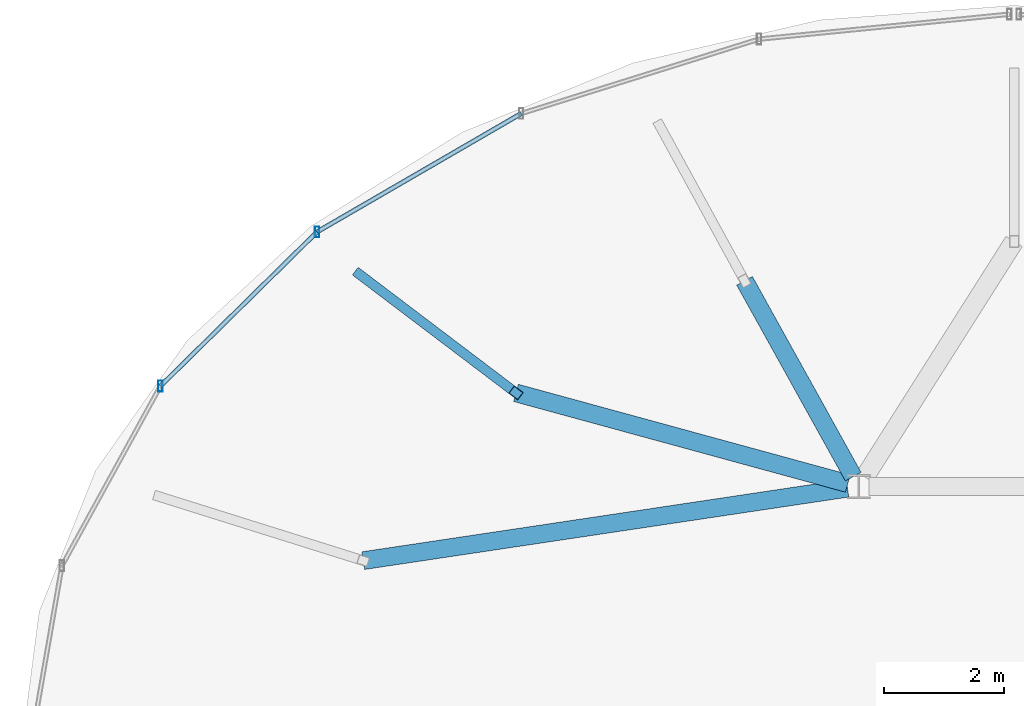
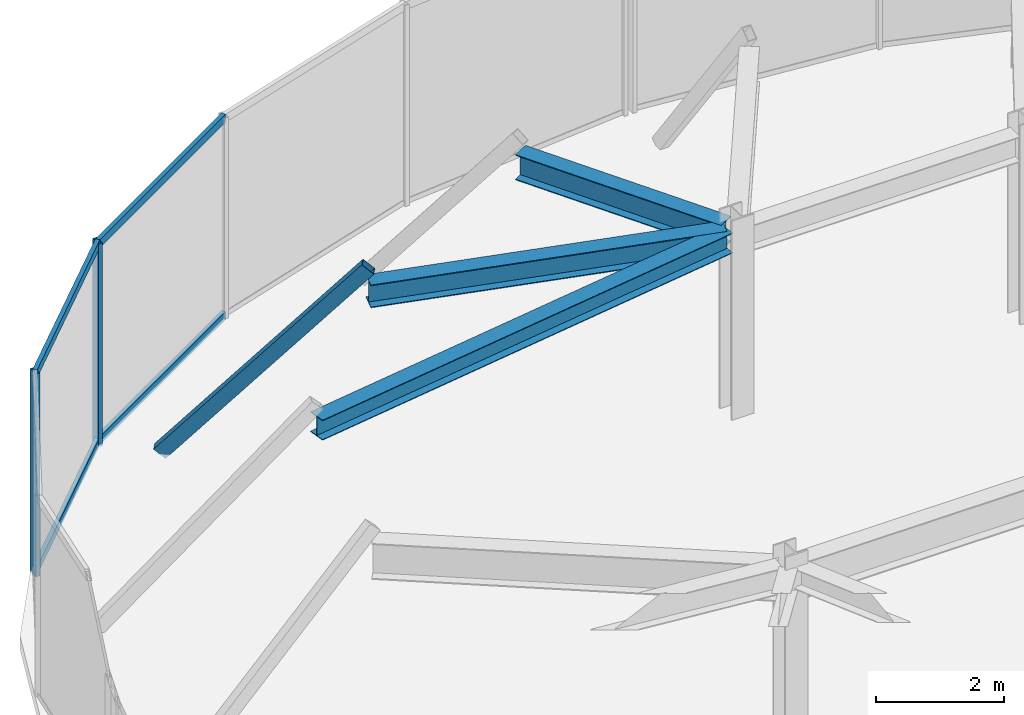
# One storey, part 8 of 13: 7 members, 3 beams, 1 element without a shape of its own.
"""IFC4 building model written with IfcOpenShell, lengths in metres."""

from ifc_helpers import new_model, si_unit, direction, frame, origin, origin_2d, place, context, subcontext, project, spatial, hollow_rectangle, i_section, extrude, material, material_profile, profile_set, type_object, element, aggregate, save


model = new_model("IFC4")

# Units and contexts
model_context = context("Model", 3, precision=1e-05, world=origin(), true_north=direction((0.0, 1.0)))
body_context = subcontext(model_context, "Body", "Model", "MODEL_VIEW")
ifc_project = project(units=[si_unit("LENGTHUNIT", "METRE"), si_unit("AREAUNIT", "SQUARE_METRE"), si_unit("VOLUMEUNIT", "CUBIC_METRE"), si_unit("PLANEANGLEUNIT", "RADIAN"), si_unit("MASSUNIT", "GRAM", prefix="KILO")], contexts=[model_context])

# Site, building, storey
site_placement = place(None, origin())
site = spatial("IfcSite", under=ifc_project, at=site_placement, CompositionType="ELEMENT")
building_placement = place(site_placement, origin())
building = spatial("IfcBuilding", under=site, at=building_placement, Name="Vorneva Point Tower", CompositionType="ELEMENT")
storey_placement = place(building_placement, frame((0.0, 0.0, 303.0)))
storey = spatial("IfcBuildingStorey", under=building, at=storey_placement, Name="C03", CompositionType="ELEMENT", Elevation=303.0)

# Beams
ifc_material_1 = material(Name="Steel S355", Category="steel")
ifc_material_profile_1 = material_profile(ifc_material_1, i_section(OverallWidth=0.299072265625, OverallDepth=0.383056640625, WebThickness=0.009521484375, FlangeThickness=0.012451171875, at=origin_2d()), Name="40Sh1")
ifc_profile_set_1 = profile_set([ifc_material_profile_1], Name="Steel S355")
beam_type_1 = type_object("IfcBeamType", Name="BM-GRD-40Sh1", PredefinedType="USERDEFINED", material=ifc_profile_set_1)
beam_1_placement = place(storey_placement, frame((27.111083984375, 29.310302734375, 3.3583984375), z_axis=(0.988998790521, 0.147923603079, 0.0), x_axis=(-0.147923603079, 0.988998790521, 0.0)))
element("IfcBeam", 1, at=beam_1_placement, inside=storey, type_object=beam_type_1, Name="C03 Radial Primary Girder 08", ObjectType="GIRDER", PredefinedType="USERDEFINED", context=body_context, shape_type="SweptSolid", body=[
    extrude(i_section(OverallWidth=0.299072265625, OverallDepth=0.383056640625, WebThickness=0.009521484375, FlangeThickness=0.012451171875, at=origin_2d()), origin(), (0.0, 0.0, 1.0), 8.191162109375),
])
ifc_material_profile_2 = material_profile(ifc_material_1, i_section(OverallWidth=0.299072265625, OverallDepth=0.43505859375, WebThickness=0.010498046875, FlangeThickness=0.014892578125, at=origin_2d()), Name="45Sh1")
ifc_profile_set_2 = profile_set([ifc_material_profile_2], Name="Steel S355")
beam_type_2 = type_object("IfcBeamType", Name="BM-GRD-45Sh1", PredefinedType="USERDEFINED", material=ifc_profile_set_2)
beam_2_placement = place(storey_placement, frame((29.666015625, 32.116455078125, 3.33251953125), z_axis=(0.964653095617, -0.263523063726, 0.0), x_axis=(0.263523063726, 0.964653095617, 0.0)))
element("IfcBeam", 2, at=beam_2_placement, inside=storey, type_object=beam_type_2, Name="C03 Radial Primary Girder 07", ObjectType="GIRDER", PredefinedType="USERDEFINED", context=body_context, shape_type="SweptSolid", body=[
    extrude(i_section(OverallWidth=0.299072265625, OverallDepth=0.43505859375, WebThickness=0.010498046875, FlangeThickness=0.014892578125, at=origin_2d()), origin(), (0.0, 0.0, 1.0), 5.754150390625),
])
ifc_material_profile_3 = material_profile(ifc_material_1, i_section(OverallWidth=0.300048828125, OverallDepth=0.48193359375, WebThickness=0.010986328125, FlangeThickness=0.014892578125, at=origin_2d()), Name="50Sh1")
ifc_profile_set_3 = profile_set([ifc_material_profile_3], Name="Steel S355")
beam_type_3 = type_object("IfcBeamType", Name="BM-GRD-50Sh1", PredefinedType="USERDEFINED", material=ifc_profile_set_3)
beam_3_placement = place(storey_placement, frame((33.48974609375, 33.99169921875, 3.30908203125), z_axis=(0.485299844014, -0.874347792014, 0.0), x_axis=(0.874347792014, 0.485299844014, 0.0)))
element("IfcBeam", 3, at=beam_3_placement, inside=storey, type_object=beam_type_3, Name="C03 Radial Primary Girder 06", ObjectType="GIRDER", PredefinedType="USERDEFINED", context=body_context, shape_type="SweptSolid", body=[
    extrude(i_section(OverallWidth=0.300048828125, OverallDepth=0.48193359375, WebThickness=0.010986328125, FlangeThickness=0.014892578125, at=origin_2d()), origin(), (0.0, 0.0, 1.0), 3.746337890625),
])

# Curtain wall, members
ifc_material_2 = material(Name="Pale anodised aluminium", Category="aluminium")
curtain_wall_type = type_object("IfcCurtainWallType", Name="CW-CRN-SYS", PredefinedType="NOTDEFINED", material=ifc_material_2)
curtain_wall_placement = place(storey_placement, origin())
curtain_wall = element("IfcCurtainWall", 4, at=curtain_wall_placement, inside=storey, type_object=curtain_wall_type, Name="C03 Unitised Curtain Wall CW-C03-Q2", PredefinedType="NOTDEFINED")
ifc_material_profile_4 = material_profile(ifc_material_2, hollow_rectangle(XDim=0.074951171875, YDim=0.179931640625, WallThickness=0.00390625, at=origin_2d()), Name="AL-MUL 180x75x4")
ifc_profile_set_4 = profile_set([ifc_material_profile_4], Name="Pale anodised aluminium")
member_type_1 = type_object("IfcMemberType", Name="CW-MUL-180", PredefinedType="MULLION", material=ifc_profile_set_4)
member_1_placement = place(storey_placement, frame((26.33837890625, 34.810546875, -0.0400390625), z_axis=(0.0, 0.0, 1.0), x_axis=(1.0, 0.0, 0.0)))
member_1 = element("IfcMember", 5, at=member_1_placement, type_object=member_type_1, Name="CW-C03-Q2 Mullion 04", PredefinedType="MULLION", context=body_context, shape_type="SweptSolid", body=[
    extrude(hollow_rectangle(XDim=0.074951171875, YDim=0.179931640625, WallThickness=0.00390625, at=origin_2d()), origin(), (0.0, 0.0, 1.0), 3.8701171875),
])
member_2_placement = place(storey_placement, frame((23.717529296875, 32.22998046875, -0.0400390625), z_axis=(0.0, 0.0, 1.0), x_axis=(1.0, 0.0, 0.0)))
member_2 = element("IfcMember", 6, at=member_2_placement, type_object=member_type_1, Name="CW-C03-Q2 Mullion 05", PredefinedType="MULLION", context=body_context, shape_type="SweptSolid", body=[
    extrude(hollow_rectangle(XDim=0.074951171875, YDim=0.179931640625, WallThickness=0.00390625, at=origin_2d()), origin(), (0.0, 0.0, 1.0), 3.8701171875),
])
ifc_material_profile_5 = material_profile(ifc_material_2, hollow_rectangle(XDim=0.074951171875, YDim=0.14990234375, WallThickness=0.00390625, at=origin_2d()), Name="AL-TRN 150x75x4")
ifc_profile_set_5 = profile_set([ifc_material_profile_5], Name="Pale anodised aluminium")
member_type_2 = type_object("IfcMemberType", Name="CW-TRN-150", PredefinedType="USERDEFINED", material=ifc_profile_set_5)
member_3_placement = place(storey_placement, frame((29.75390625, 36.790771484375, 0.02001953125), z_axis=(-0.8651170579, -0.501570011196, 0.0), x_axis=(0.501570011196, -0.8651170579, 0.0)))
member_3 = element("IfcMember", 7, at=member_3_placement, type_object=member_type_2, Name="CW-C03-Q2 Transom 03.1", ObjectType="TRANSOM", PredefinedType="USERDEFINED", context=body_context, shape_type="SweptSolid", body=[
    extrude(hollow_rectangle(XDim=0.074951171875, YDim=0.14990234375, WallThickness=0.00390625, at=origin_2d()), origin(), (0.0, 0.0, 1.0), 3.947998046875),
])
member_4_placement = place(storey_placement, frame((29.75390625, 36.790771484375, 3.780029296875), z_axis=(-0.8651170579, -0.501570011196, 0.0), x_axis=(0.501570011196, -0.8651170579, 0.0)))
member_4 = element("IfcMember", 8, at=member_4_placement, type_object=member_type_2, Name="CW-C03-Q2 Transom 03.2", ObjectType="TRANSOM", PredefinedType="USERDEFINED", context=body_context, shape_type="SweptSolid", body=[
    extrude(hollow_rectangle(XDim=0.074951171875, YDim=0.14990234375, WallThickness=0.00390625, at=origin_2d()), origin(), (0.0, 0.0, 1.0), 3.947998046875),
])
member_5_placement = place(storey_placement, frame((26.33837890625, 34.810546875, 0.02001953125), z_axis=(-0.712561714087, -0.70160943809, 0.0), x_axis=(0.70160943809, -0.712561714087, 0.0)))
member_5 = element("IfcMember", 9, at=member_5_placement, type_object=member_type_2, Name="CW-C03-Q2 Transom 04.1", ObjectType="TRANSOM", PredefinedType="USERDEFINED", context=body_context, shape_type="SweptSolid", body=[
    extrude(hollow_rectangle(XDim=0.074951171875, YDim=0.14990234375, WallThickness=0.00390625, at=origin_2d()), origin(), (0.0, 0.0, 1.0), 3.677978515625),
])
member_6_placement = place(storey_placement, frame((26.33837890625, 34.810546875, 3.780029296875), z_axis=(-0.712561714087, -0.70160943809, 0.0), x_axis=(0.70160943809, -0.712561714087, 0.0)))
member_6 = element("IfcMember", 10, at=member_6_placement, type_object=member_type_2, Name="CW-C03-Q2 Transom 04.2", ObjectType="TRANSOM", PredefinedType="USERDEFINED", context=body_context, shape_type="SweptSolid", body=[
    extrude(hollow_rectangle(XDim=0.074951171875, YDim=0.14990234375, WallThickness=0.00390625, at=origin_2d()), origin(), (0.0, 0.0, 1.0), 3.677978515625),
])
aggregate(curtain_wall, [member_1, member_2, member_3, member_4, member_5, member_6])

# Member
ifc_material_profile_6 = material_profile(ifc_material_1, hollow_rectangle(XDim=0.159912109375, YDim=0.25, WallThickness=0.010009765625, at=origin_2d()), Name="PP 250x160x10")
ifc_profile_set_6 = profile_set([ifc_material_profile_6], Name="Steel S355")
member_type_3 = type_object("IfcMemberType", Name="MBR-CRN-PP250", PredefinedType="CHORD", material=ifc_profile_set_6)
member_7_placement = place(storey_placement, frame((27.052490234375, 34.096435546875, 0.0), z_axis=(0.52071755645, -0.39449036738, 0.757119922106), x_axis=(0.603864855873, 0.797086717893, 0.0)))
element("IfcMember", 11, at=member_7_placement, inside=storey, type_object=member_type_3, Name="Crown Tapered Frame Rib C03-07", PredefinedType="CHORD", context=body_context, shape_type="SweptSolid", body=[
    extrude(hollow_rectangle(XDim=0.159912109375, YDim=0.25, WallThickness=0.010009765625, at=origin_2d()), origin(), (0.0, 0.0, 1.0), 5.01904296875),
])

save(model, "model.ifc")
